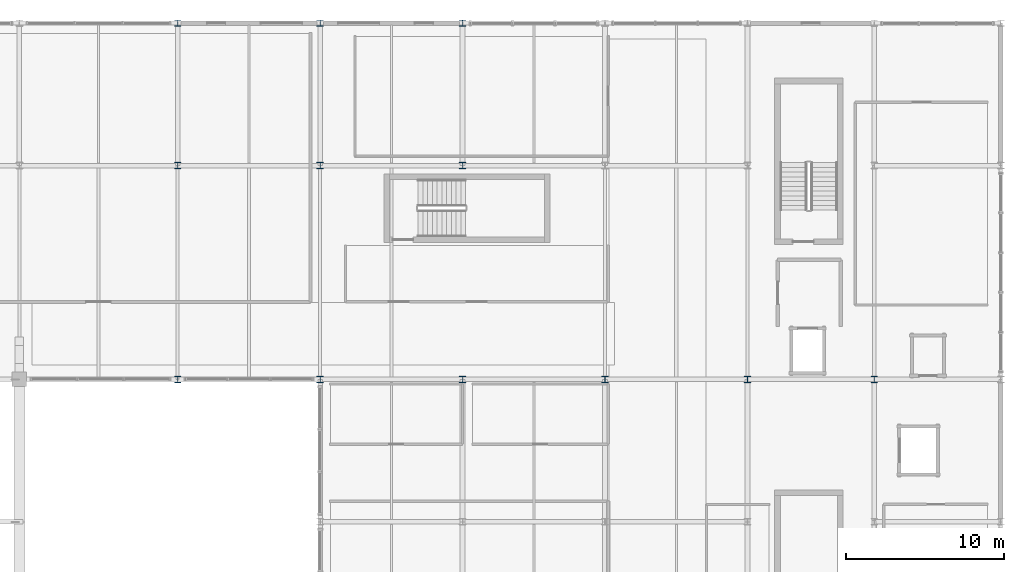
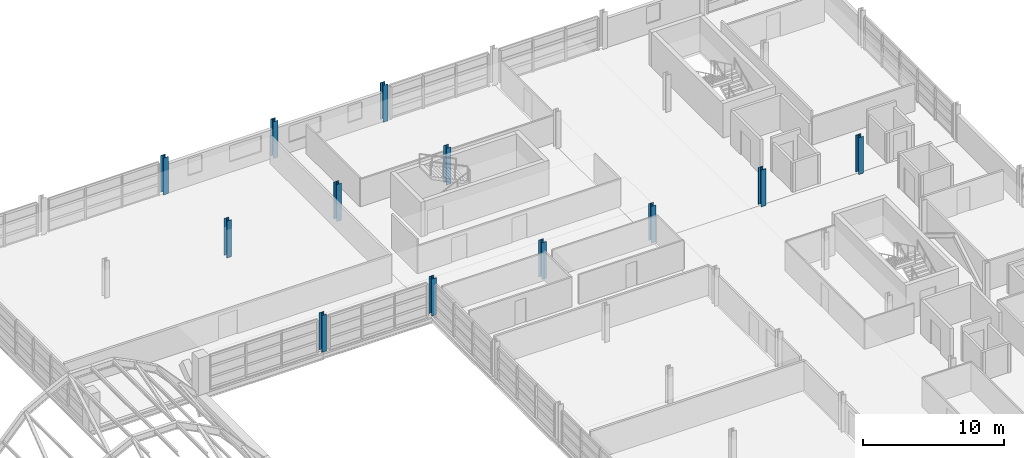
# One storey, part 5 of 86: 12 columns.
"""IFC4 building model written with IfcOpenShell, lengths in metres."""

import ifcopenshell
import ifcopenshell.guid

model = None  # the IFC model being written
_history = None  # IfcOwnerHistory: only IFC2X3 demands one
_inside = {}  # id of a spatial element -> (the spatial element, [elements in it])
_under = {}  # id of a project, library or spatial element -> (it, [spatial elements below it])
_declared = {}  # id of a project -> (the project, [libraries it declares])
_typed = {}  # id of a type object -> (the type object, [elements of that type])
_made_of = {}  # id of a material, layer set ... -> (it, [elements and type objects made of it])


def new_model(schema):
    """Start an empty IFC model of exactly this schema.

    Asked for "IFC4X3", IfcOpenShell would pick the latest addendum, in which some entities
    have other attributes; the version numbers below select the first issue.
    IFC2X3 requires an IfcOwnerHistory on every rooted entity: one is made here for all.
    """
    global model, _history
    if schema == "IFC4X3":
        model = ifcopenshell.file(schema_version=(4, 3, 0, 0))
    else:
        model = ifcopenshell.file(schema=schema)
    _inside.clear()
    _under.clear()
    _declared.clear()
    _typed.clear()
    _made_of.clear()
    _history = None
    if model.schema == "IFC2X3":
        org = make("IfcOrganization", Name="unknown")
        user = make(
            "IfcPersonAndOrganization",
            ThePerson=make("IfcPerson", FamilyName="unknown"),
            TheOrganization=org,
        )
        app = make(
            "IfcApplication",
            ApplicationDeveloper=org,
            Version="unknown",
            ApplicationFullName="unknown",
            ApplicationIdentifier="unknown",
        )
        _history = make(
            "IfcOwnerHistory",
            OwningUser=user,
            OwningApplication=app,
            ChangeAction="ADDED",
            CreationDate=0,
        )
    return model


def make(cls, **values):
    """One entity of the class cls with the attributes given. An attribute that is None is left unset."""
    return model.create_entity(
        cls, **{name: value for name, value in values.items() if value is not None}
    )


def rooted(cls, **values):
    """An entity with a GlobalId (a new one), such as an element, a storey or a relation."""
    return make(cls, GlobalId=ifcopenshell.guid.new(), OwnerHistory=_history, **values)


def si_unit(unit_type, name, prefix=None):
    """IfcSIUnit, for example si_unit("LENGTHUNIT", "METRE", prefix="MILLI")."""
    return make("IfcSIUnit", UnitType=unit_type, Prefix=prefix, Name=name)


def assignment(units):
    """IfcUnitAssignment: the units of a project."""
    return None if units is None else make("IfcUnitAssignment", Units=units)


def point(xyz):
    """IfcCartesianPoint."""
    return None if xyz is None else make("IfcCartesianPoint", Coordinates=xyz)


def direction(xyz):
    """IfcDirection."""
    return None if xyz is None else make("IfcDirection", DirectionRatios=xyz)


def frame(location, z_axis=None, x_axis=None):
    """IfcAxis2Placement3D, a coordinate frame: its origin and axes. An axis left out is left unset."""
    return make(
        "IfcAxis2Placement3D",
        Location=point(location),
        Axis=direction(z_axis),
        RefDirection=direction(x_axis),
    )


def frame_2d(location, x_axis=None):
    """IfcAxis2Placement2D, a coordinate frame in the plane: its origin and x axis."""
    return make(
        "IfcAxis2Placement2D", Location=point(location), RefDirection=direction(x_axis)
    )


def origin():
    """The frame at (0, 0, 0) with its axes left unset."""
    return frame((0.0, 0.0, 0.0))


def origin_2d():
    """The frame at (0, 0) in the plane with its x axis left unset."""
    return frame_2d((0.0, 0.0))


def place(relative_to, where):
    """IfcLocalPlacement: puts the frame where relative to a parent placement (None: the world)."""
    return make(
        "IfcLocalPlacement", PlacementRelTo=relative_to, RelativePlacement=where
    )


def context(
    kind, dimensions, precision=None, world=None, true_north=None, identifier=None
):
    """IfcGeometricRepresentationContext, for example the 3D "Model" context."""
    return make(
        "IfcGeometricRepresentationContext",
        ContextIdentifier=identifier,
        ContextType=kind,
        CoordinateSpaceDimension=dimensions,
        Precision=precision,
        WorldCoordinateSystem=world,
        TrueNorth=true_north,
    )


def subcontext(parent, identifier, kind, view, scale=None):
    """IfcGeometricRepresentationSubContext, for example "Body" below "Model"."""
    return make(
        "IfcGeometricRepresentationSubContext",
        ContextIdentifier=identifier,
        ContextType=kind,
        ParentContext=parent,
        TargetScale=scale,
        TargetView=view,
    )


def project(units=None, contexts=None):
    """IfcProject with its units and contexts."""
    return rooted(
        "IfcProject",
        Name="project",
        RepresentationContexts=contexts,
        UnitsInContext=assignment(units),
    )


def spatial(cls, under=None, at=None, **own):
    """A site, building, storey or space (cls), placed at a placement, below another one or the project."""
    s = rooted(cls, ObjectPlacement=at, **own)
    if under is not None:
        _under.setdefault(under.id(), (under, []))[1].append(s)
    return s


def profile(cls, at=None, kind="AREA", **sizes):
    """A parametric profile (cls). Its sizes go by their IFC names, for example OverallWidth=200.0."""
    return make(cls, ProfileType=kind, Position=at, **sizes)


def i_section(**sizes):
    """IfcIShapeProfileDef."""
    return profile("IfcIShapeProfileDef", **sizes)


def extrude(swept, where, along, depth):
    """IfcExtrudedAreaSolid: the profile swept, set in the frame where, extruded along a direction by depth."""
    return make(
        "IfcExtrudedAreaSolid",
        SweptArea=swept,
        Position=where,
        ExtrudedDirection=direction(along),
        Depth=depth,
    )


def shape(context_of_items, identifier, shape_type, items):
    """IfcShapeRepresentation: the items that make up one representation, for example the "Body"."""
    return make(
        "IfcShapeRepresentation",
        ContextOfItems=context_of_items,
        RepresentationIdentifier=identifier,
        RepresentationType=shape_type,
        Items=items,
    )


def material(Name=None, Category=None):
    """IfcMaterial."""
    return make("IfcMaterial", Name=Name, Category=Category)


def material_profile(
    of_material, cross_section, Name=None, Category=None, Priority=None
):
    """IfcMaterialProfile: a cross section and its material."""
    return make(
        "IfcMaterialProfile",
        Name=Name,
        Material=of_material,
        Profile=cross_section,
        Priority=Priority,
        Category=Category,
    )


def profile_set(profiles, Name=None, composite=None):
    """IfcMaterialProfileSet."""
    return make(
        "IfcMaterialProfileSet",
        Name=Name,
        MaterialProfiles=profiles,
        CompositeProfile=composite,
    )


def made_of(thing, what):
    """Note that an element or type object is made of a material, layer set ...; save() writes the relation."""
    if what is not None:
        _made_of.setdefault(what.id(), (what, []))[1].append(thing)
    return thing


def type_object(cls, material=None, **own):
    """A type object (cls), such as IfcWallType, which elements share."""
    return made_of(rooted(cls, **own), material)


def element(
    cls,
    number,
    at=None,
    inside=None,
    cuts=None,
    type_object=None,
    material=None,
    context=None,
    identifier="Body",
    shape_type=None,
    held_by="IfcProductDefinitionShape",
    body=None,
    shapes=None,
    **own,
):
    """One element of the class cls, such as IfcWall. Its Tag is "e" and its number.

    at: its placement. inside: the storey or other place that contains it. cuts: it is an
    opening in that element (IfcRelVoidsElement). A single representation is given by context,
    identifier, shape_type and body (its items); several are given by shapes. held_by: the class
    of the entity that holds the representations. save() writes the other relations.
    """
    e = rooted(cls, Tag="e%d" % number, ObjectPlacement=at, **own)
    if body is not None:
        shapes = [shape(context, identifier, shape_type, body)]
    if shapes is not None:
        e.Representation = make(held_by, Representations=shapes)
    if inside is not None:
        _inside.setdefault(inside.id(), (inside, []))[1].append(e)
    if cuts is not None:
        rooted(
            "IfcRelVoidsElement", RelatingBuildingElement=cuts, RelatedOpeningElement=e
        )
    if type_object is not None:
        _typed.setdefault(type_object.id(), (type_object, []))[1].append(e)
    return made_of(e, material)


def aggregate(whole, parts):
    """IfcRelAggregates: a whole, such as a stair, and the parts it consists of."""
    return rooted("IfcRelAggregates", RelatingObject=whole, RelatedObjects=parts)


def save(model, path):
    """Write the relations noted so far, then the file.

    IfcRelAggregates (storeys below a building ...), IfcRelContainedInSpatialStructure (elements
    in a storey), IfcRelDefinesByType, IfcRelAssociatesMaterial and IfcRelDeclares: one each for
    every whole, place, type object, material and project.
    """
    for whole, parts in _under.values():
        aggregate(whole, parts)
    for where, things in _inside.values():
        rooted(
            "IfcRelContainedInSpatialStructure",
            RelatedElements=things,
            RelatingStructure=where,
        )
    for kind, things in _typed.values():
        rooted("IfcRelDefinesByType", RelatedObjects=things, RelatingType=kind)
    for what, things in _made_of.values():
        rooted("IfcRelAssociatesMaterial", RelatedObjects=things, RelatingMaterial=what)
    for by, libraries in _declared.values():
        rooted("IfcRelDeclares", RelatingContext=by, RelatedDefinitions=libraries)
    model.write(path)


model = new_model("IFC4")

# Units and contexts
model_context = context("Model", 3, precision=1e-05, world=origin(), true_north=direction((0.0, 1.0)))
body_context = subcontext(model_context, "Body", "Model", "MODEL_VIEW")
ifc_project = project(units=[si_unit("LENGTHUNIT", "METRE"), si_unit("AREAUNIT", "SQUARE_METRE"), si_unit("VOLUMEUNIT", "CUBIC_METRE"), si_unit("PLANEANGLEUNIT", "RADIAN"), si_unit("MASSUNIT", "GRAM", prefix="KILO")], contexts=[model_context])

# Site, building, storey
site_placement = place(None, origin())
site = spatial("IfcSite", under=ifc_project, at=site_placement, CompositionType="ELEMENT")
building_placement = place(site_placement, origin())
building = spatial("IfcBuilding", under=site, at=building_placement, Name="Chuanluo Vaults Station", CompositionType="ELEMENT")
storey_placement = place(building_placement, frame((0.0, 0.0, 14.39990234375)))
storey = spatial("IfcBuildingStorey", under=building, at=storey_placement, Name="L03", CompositionType="ELEMENT", Elevation=14.39990234375)

# Columns
ifc_material = material(Name="Steel Q355C", Category="steel")
ifc_material_profile = material_profile(ifc_material, i_section(OverallWidth=0.39990234375, OverallDepth=0.39990234375, WebThickness=0.012939453125, FlangeThickness=0.02099609375, FilletRadius=0.02197265625, at=origin_2d()))
ifc_profile_set = profile_set([ifc_material_profile], Name="Steel Q355C")
column_type = type_object("IfcColumnType", Name="COL-STL-HW400", PredefinedType="COLUMN", material=ifc_profile_set)
for number, where, z_axis, x_axis, name in (
    (1, (136.0, 103.5, 0.0), (0.0, 0.0, 1.0), (1.0, 0.0, 0.0), "Column L03-094"),
    (2, (136.0, 117.0, 0.0), (0.0, 0.0, 1.0), (1.0, 0.0, 0.0), "Column L03-095"),
    (3, (136.0, 126.0, 0.0), (0.0, 0.0, 1.0), (1.0, 0.0, 0.0), "Column L03-096"),
    (4, (145.0, 103.5, 0.0), (0.0, 0.0, 1.0), (1.0, 0.0, 0.0), "Column L03-107"),
    (5, (145.0, 117.0, 0.0), (0.0, 0.0, 1.0), (1.0, 0.0, 0.0), "Column L03-108"),
    (6, (145.0, 126.0, 0.0), (0.0, 0.0, 1.0), (1.0, 0.0, 0.0), "Column L03-109"),
    (7, (154.0, 103.5, 0.0), (0.0, 0.0, 1.0), (1.0, 0.0, 0.0), "Column L03-120"),
    (8, (154.0, 117.0, 0.0), (0.0, 0.0, 1.0), (1.0, 0.0, 0.0), "Column L03-121"),
    (9, (154.0, 126.0, 0.0), (0.0, 0.0, 1.0), (1.0, 0.0, 0.0), "Column L03-122"),
    (10, (163.0, 103.5, 0.0), (0.0, 0.0, 1.0), (1.0, 0.0, 0.0), "Column L03-133"),
    (11, (172.0, 103.5, 0.0), (0.0, 0.0, 1.0), (1.0, 0.0, 0.0), "Column L03-146"),
    (12, (180.0, 103.5, 0.0), (0.0, 0.0, 1.0), (1.0, 0.0, 0.0), "Column L03-159"),
):
    element("IfcColumn", number, at=place(storey_placement, frame(where, z_axis=z_axis, x_axis=x_axis)), inside=storey, type_object=column_type, Name=name, PredefinedType="COLUMN", context=body_context, shape_type="SweptSolid", body=[
        extrude(i_section(OverallWidth=0.39990234375, OverallDepth=0.39990234375, WebThickness=0.012939453125, FlangeThickness=0.02099609375, FilletRadius=0.02197265625, at=origin_2d()), origin(), (0.0, 0.0, 1.0), 3.2001953125),
    ])

save(model, "model.ifc")
